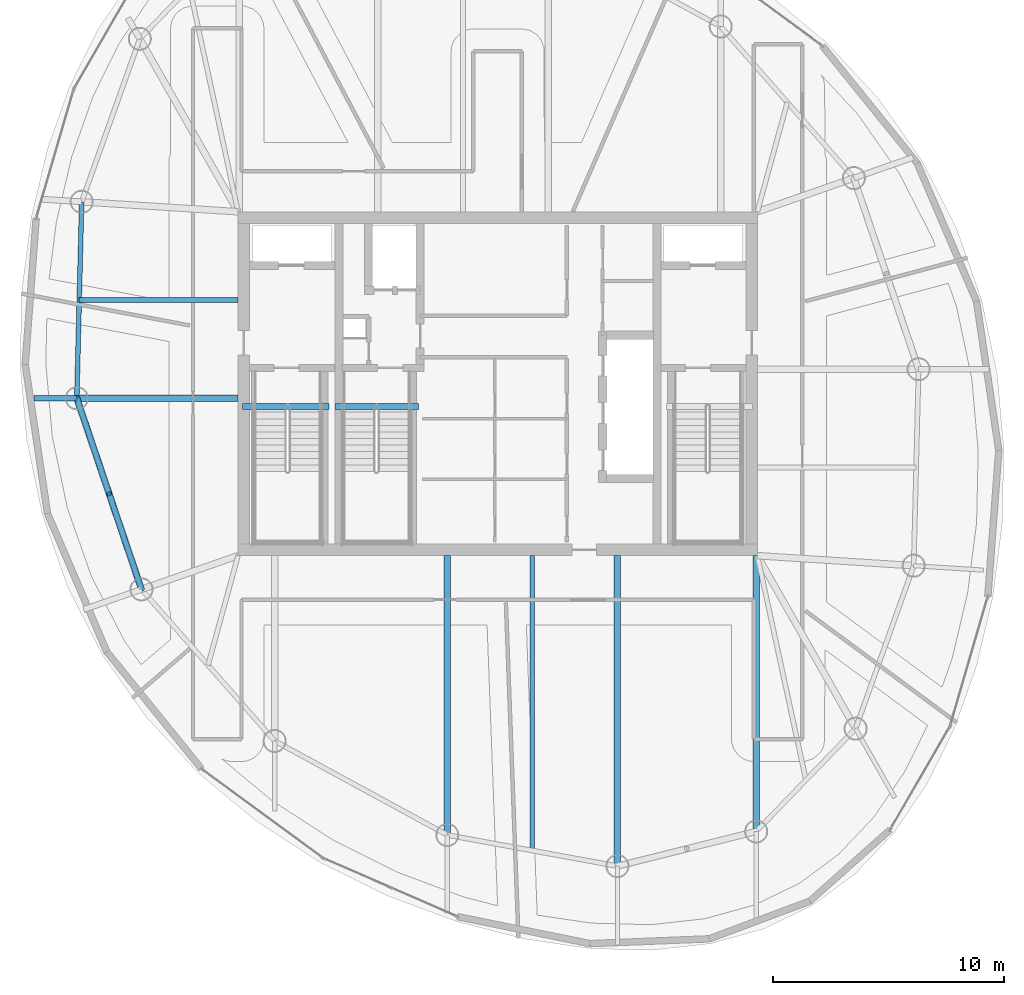
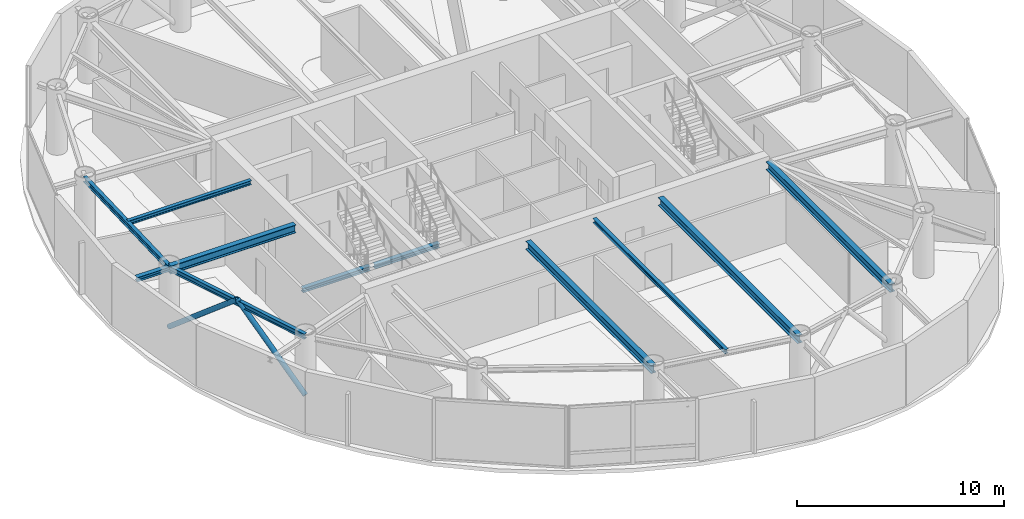
# One storey, part 5 of 20: 11 beams, 2 members.
"""IFC4 building model written with IfcOpenShell, lengths in metres."""

from ifc_helpers import new_model, si_unit, direction, frame, origin, origin_2d, place, context, subcontext, project, spatial, hollow_circle, i_section, extrude, material, material_profile, profile_set, type_object, element, save


model = new_model("IFC4")

# Units and contexts
model_context = context("Model", 3, precision=1e-05, world=origin(), true_north=direction((0.0, 1.0)))
body_context = subcontext(model_context, "Body", "Model", "MODEL_VIEW")
ifc_project = project(units=[si_unit("LENGTHUNIT", "METRE"), si_unit("AREAUNIT", "SQUARE_METRE"), si_unit("VOLUMEUNIT", "CUBIC_METRE"), si_unit("PLANEANGLEUNIT", "RADIAN"), si_unit("MASSUNIT", "GRAM", prefix="KILO")], contexts=[model_context])

# Site, building, storey
site_placement = place(None, origin())
site = spatial("IfcSite", under=ifc_project, at=site_placement, CompositionType="ELEMENT")
building_placement = place(site_placement, origin())
building = spatial("IfcBuilding", under=site, at=building_placement, Name="Bramvorn Convention Spire", CompositionType="ELEMENT")
storey_placement = place(building_placement, frame((0.0, 0.0, 269.0)))
storey = spatial("IfcBuildingStorey", under=building, at=storey_placement, Name="L68", CompositionType="ELEMENT", Elevation=269.0)

# Beams
ifc_material = material(Name="Steel CSA G40.21 Grade 350 (350W)", Category="steel")
ifc_material_profile_1 = material_profile(ifc_material, i_section(OverallWidth=0.201904296875, OverallDepth=0.2470703125, WebThickness=0.00732421875, FlangeThickness=0.010986328125, FilletRadius=0.011962890625, at=origin_2d()))
ifc_profile_set_1 = profile_set([ifc_material_profile_1], Name="Steel CSA G40.21 Grade 350 (350W) - W250X49")
beam_type_1 = type_object("IfcBeamType", Name="BM-W250X49", PredefinedType="JOIST", material=ifc_profile_set_1)
beam_1_placement = place(storey_placement, frame((26.75, 29.626953125, 3.50146484375), z_axis=(-1.0, 0.0, 0.0), x_axis=(0.0, -1.0, 0.0)))
element("IfcBeam", 1, at=beam_1_placement, inside=storey, type_object=beam_type_1, Name="L68 composite floor joist 11", PredefinedType="JOIST", context=body_context, shape_type="SweptSolid", body=[
    extrude(i_section(OverallWidth=0.201904296875, OverallDepth=0.2470703125, WebThickness=0.00732421875, FlangeThickness=0.010986328125, FilletRadius=0.011962890625, at=origin_2d()), origin(), (0.0, 0.0, 1.0), 6.879150390625),
])
beam_2_placement = place(storey_placement, frame((39.501953125, 18.550048828125, 3.50146484375), z_axis=(0.0, -1.0, 0.0), x_axis=(1.0, 0.0, 0.0)))
element("IfcBeam", 2, at=beam_2_placement, inside=storey, type_object=beam_type_1, Name="L68 composite floor joist 15", PredefinedType="JOIST", context=body_context, shape_type="SweptSolid", body=[
    extrude(i_section(OverallWidth=0.201904296875, OverallDepth=0.2470703125, WebThickness=0.00732421875, FlangeThickness=0.010986328125, FilletRadius=0.011962890625, at=origin_2d()), origin(), (0.0, 0.0, 1.0), 12.77587890625),
])
ifc_material_profile_2 = material_profile(ifc_material, i_section(OverallWidth=0.25390625, OverallDepth=0.2529296875, WebThickness=0.008544921875, FlangeThickness=0.01416015625, FilletRadius=0.011962890625, at=origin_2d()))
ifc_profile_set_2 = profile_set([ifc_material_profile_2], Name="Steel CSA G40.21 Grade 350 (350W) - W250X73")
beam_type_2 = type_object("IfcBeamType", Name="BM-W250X73", PredefinedType="BEAM", material=ifc_profile_set_2)
beam_3_placement = place(storey_placement, frame((19.765380859375, 25.37060546875, 3.45849609375), z_axis=(-1.0, 0.0, 0.0), x_axis=(0.0, -1.0, 0.0)))
element("IfcBeam", 3, at=beam_3_placement, inside=storey, type_object=beam_type_2, Name="L68 slab-edge cantilever tip beam MC12", PredefinedType="BEAM", context=body_context, shape_type="SweptSolid", body=[
    extrude(i_section(OverallWidth=0.25390625, OverallDepth=0.2529296875, WebThickness=0.008544921875, FlangeThickness=0.01416015625, FilletRadius=0.011962890625, at=origin_2d()), origin(), (0.0, 0.0, 1.0), 1.85009765625),
])
beam_4_placement = place(storey_placement, frame((26.949951171875, 25.010009765625, -0.12646484375), z_axis=(1.0, 0.0, 0.0), x_axis=(0.0, 1.0, 0.0)))
element("IfcBeam", 4, at=beam_4_placement, inside=storey, type_object=beam_type_2, Name="L68 ST1 stair arrival header beam", PredefinedType="BEAM", context=body_context, shape_type="SweptSolid", body=[
    extrude(i_section(OverallWidth=0.25390625, OverallDepth=0.2529296875, WebThickness=0.008544921875, FlangeThickness=0.01416015625, FilletRadius=0.011962890625, at=origin_2d()), origin(), (0.0, 0.0, 1.0), 3.739990234375),
])
beam_5_placement = place(storey_placement, frame((30.949951171875, 25.010009765625, -0.12646484375), z_axis=(1.0, 0.0, 0.0), x_axis=(0.0, 1.0, 0.0)))
element("IfcBeam", 5, at=beam_5_placement, inside=storey, type_object=beam_type_2, Name="L68 ST3 stair arrival header beam", PredefinedType="BEAM", context=body_context, shape_type="SweptSolid", body=[
    extrude(i_section(OverallWidth=0.25390625, OverallDepth=0.2529296875, WebThickness=0.008544921875, FlangeThickness=0.01416015625, FilletRadius=0.011962890625, at=origin_2d()), origin(), (0.0, 0.0, 1.0), 3.610107421875),
])
ifc_material_profile_3 = material_profile(ifc_material, i_section(OverallWidth=0.202880859375, OverallDepth=0.302978515625, WebThickness=0.007568359375, FlangeThickness=0.01318359375, FilletRadius=0.013916015625, at=origin_2d()))
ifc_profile_set_3 = profile_set([ifc_material_profile_3], Name="Steel CSA G40.21 Grade 350 (350W) - W310X60")
beam_type_3 = type_object("IfcBeamType", Name="BM-W310X60", PredefinedType="JOIST", material=ifc_profile_set_3)
beam_6_placement = place(storey_placement, frame((19.976318359375, 33.883544921875, 3.473388671875), z_axis=(-0.024770853371, -0.999693155335, 0.0), x_axis=(0.999693155335, -0.024770853371, 0.0)))
element("IfcBeam", 6, at=beam_6_placement, inside=storey, type_object=beam_type_3, Name="L68 mega-column ring beam 11", PredefinedType="JOIST", context=body_context, shape_type="SweptSolid", body=[
    extrude(i_section(OverallWidth=0.202880859375, OverallDepth=0.302978515625, WebThickness=0.007568359375, FlangeThickness=0.01318359375, FilletRadius=0.013916015625, at=origin_2d()), origin(), (0.0, 0.0, 1.0), 8.515625),
])
beam_7_placement = place(storey_placement, frame((19.765380859375, 25.37060546875, 3.473388671875), z_axis=(0.320531023763, -0.947238018032, 0.0), x_axis=(0.947238018032, 0.320531023763, 0.0)))
element("IfcBeam", 7, at=beam_7_placement, inside=storey, type_object=beam_type_3, Name="L68 mega-column ring beam 12", PredefinedType="JOIST", context=body_context, shape_type="SweptSolid", body=[
    extrude(i_section(OverallWidth=0.202880859375, OverallDepth=0.302978515625, WebThickness=0.007568359375, FlangeThickness=0.01318359375, FilletRadius=0.013916015625, at=origin_2d()), origin(), (0.0, 0.0, 1.0), 8.74169921875),
])
ifc_material_profile_4 = material_profile(ifc_material, i_section(OverallWidth=0.283935546875, OverallDepth=0.47607421875, WebThickness=0.014892578125, FlangeThickness=0.02392578125, FilletRadius=0.01806640625, at=origin_2d()))
ifc_profile_set_4 = profile_set([ifc_material_profile_4], Name="Steel CSA G40.21 Grade 350 (350W) - W460X158")
beam_type_4 = type_object("IfcBeamType", Name="BM-W460X158", PredefinedType="SPANDREL", material=ifc_profile_set_4)
beam_8_placement = place(storey_placement, frame((49.199951171875, 18.550048828125, 3.346923828125), z_axis=(0.0, -1.0, 0.0), x_axis=(1.0, 0.0, 0.0)))
element("IfcBeam", 8, at=beam_8_placement, inside=storey, type_object=beam_type_4, Name="L68 Sky-Garden back-span radial girder MC01", PredefinedType="SPANDREL", context=body_context, shape_type="SweptSolid", body=[
    extrude(i_section(OverallWidth=0.283935546875, OverallDepth=0.47607421875, WebThickness=0.014892578125, FlangeThickness=0.02392578125, FilletRadius=0.01806640625, at=origin_2d()), origin(), (0.0, 0.0, 1.0), 11.948974609375),
])
beam_9_placement = place(storey_placement, frame((26.75, 25.37060546875, 3.386962890625), z_axis=(-1.0, 0.0, 0.0), x_axis=(0.0, -1.0, 0.0)))
element("IfcBeam", 9, at=beam_9_placement, inside=storey, type_object=beam_type_4, Name="L68 radial floor girder MC12", PredefinedType="SPANDREL", context=body_context, shape_type="SweptSolid", body=[
    extrude(i_section(OverallWidth=0.283935546875, OverallDepth=0.47607421875, WebThickness=0.014892578125, FlangeThickness=0.02392578125, FilletRadius=0.01806640625, at=origin_2d()), origin(), (0.0, 0.0, 1.0), 6.984619140625),
])
beam_10_placement = place(storey_placement, frame((35.8154296875, 18.550048828125, 3.346923828125), z_axis=(0.0, -1.0, 0.0), x_axis=(1.0, 0.0, 0.0)))
element("IfcBeam", 10, at=beam_10_placement, inside=storey, type_object=beam_type_4, Name="L68 Sky-Garden back-span radial girder MC15", PredefinedType="SPANDREL", context=body_context, shape_type="SweptSolid", body=[
    extrude(i_section(OverallWidth=0.283935546875, OverallDepth=0.47607421875, WebThickness=0.014892578125, FlangeThickness=0.02392578125, FilletRadius=0.01806640625, at=origin_2d()), origin(), (0.0, 0.0, 1.0), 12.100830078125),
])
beam_11_placement = place(storey_placement, frame((43.1884765625, 18.550048828125, 3.346923828125), z_axis=(0.0, -1.0, 0.0), x_axis=(1.0, 0.0, 0.0)))
element("IfcBeam", 11, at=beam_11_placement, inside=storey, type_object=beam_type_4, Name="L68 Sky-Garden back-span radial girder MC16", PredefinedType="SPANDREL", context=body_context, shape_type="SweptSolid", body=[
    extrude(i_section(OverallWidth=0.283935546875, OverallDepth=0.47607421875, WebThickness=0.014892578125, FlangeThickness=0.02392578125, FilletRadius=0.01806640625, at=origin_2d()), origin(), (0.0, 0.0, 1.0), 13.450927734375),
])

# Members
ifc_material_profile_5 = material_profile(ifc_material, hollow_circle(Radius=0.136474609375, WallThickness=0.0126953125, at=origin_2d()))
ifc_profile_set_5 = profile_set([ifc_material_profile_5], Name="Steel CSA G40.21 Grade 350 (350W) - CHS273X13")
member_type = type_object("IfcMemberType", Name="MBR-CHS273X13", PredefinedType="BRACE", material=ifc_profile_set_5)
member_1_placement = place(storey_placement, frame((19.765380859375, 25.37060546875, 0.0), z_axis=(0.246737306961, -0.729119705305, 0.638361305759), x_axis=(0.947232407912, 0.320547602394, 0.0)))
element("IfcMember", 12, at=member_1_placement, inside=storey, type_object=member_type, Name="L68 perimeter Gothic lancet brace 12A", PredefinedType="BRACE", context=body_context, shape_type="SweptSolid", body=[
    extrude(hollow_circle(Radius=0.136474609375, WallThickness=0.0126953125, at=origin_2d()), origin(), (0.0, 0.0, 1.0), 5.6787109375),
])
member_2_placement = place(storey_placement, frame((22.5673828125, 17.090087890625, 0.0), z_axis=(-0.246704664157, 0.729107301286, 0.638388088778), x_axis=(-0.947243628259, -0.320514443859, 0.0)))
element("IfcMember", 13, at=member_2_placement, inside=storey, type_object=member_type, Name="L68 perimeter Gothic lancet brace 12B", PredefinedType="BRACE", context=body_context, shape_type="SweptSolid", body=[
    extrude(hollow_circle(Radius=0.136474609375, WallThickness=0.0126953125, at=origin_2d()), origin(), (0.0, 0.0, 1.0), 5.678466796875),
])

save(model, "model.ifc")
